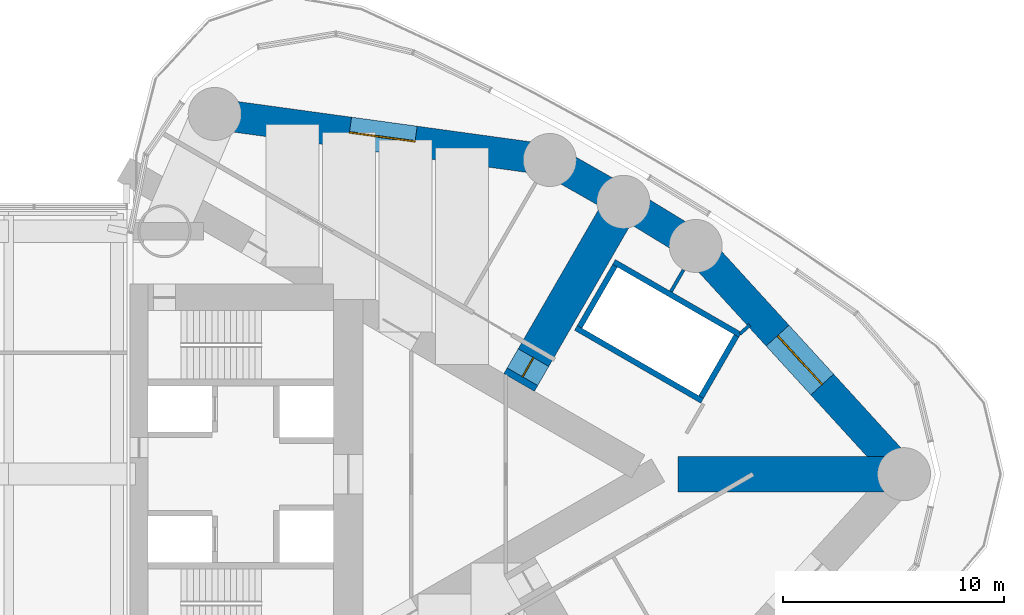
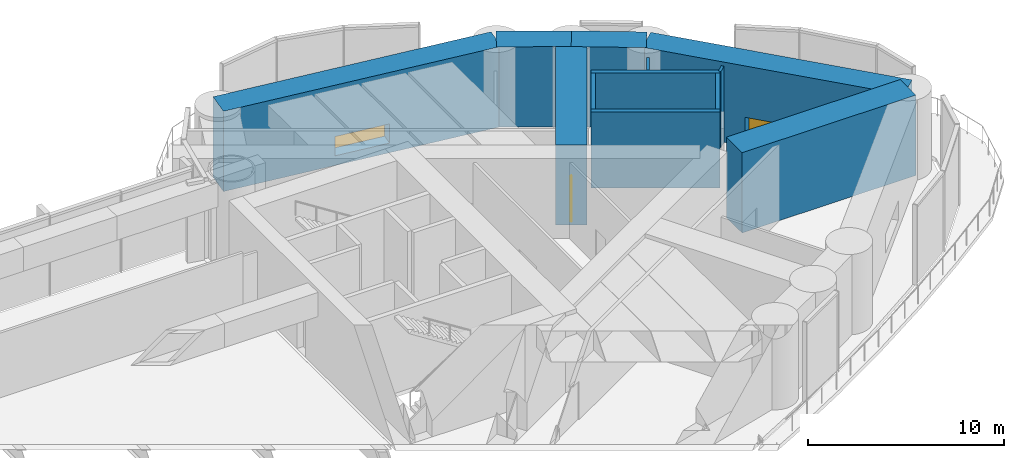
# One storey, part 19 of 22: 12 walls, 2 windows, 1 door, 3 openings.
"""IFC4 building model written with IfcOpenShell, lengths in metres."""

from ifc_helpers import new_model, si_unit, direction, frame, frame_2d, origin, place, context, subcontext, project, spatial, rectangle, extrude, material, layer, layer_set, type_object, element, fill, save


model = new_model("IFC4")

# Units and contexts
model_context = context("Model", 3, precision=1e-05, world=origin(), true_north=direction((0.0, 1.0)))
body_context = subcontext(model_context, "Body", "Model", "MODEL_VIEW")
ifc_project = project(units=[si_unit("LENGTHUNIT", "METRE"), si_unit("AREAUNIT", "SQUARE_METRE"), si_unit("VOLUMEUNIT", "CUBIC_METRE"), si_unit("PLANEANGLEUNIT", "RADIAN"), si_unit("MASSUNIT", "GRAM", prefix="KILO")], contexts=[model_context])

# Site, building, storey
site_placement = place(None, origin())
site = spatial("IfcSite", under=ifc_project, at=site_placement, CompositionType="ELEMENT")
building_placement = place(site_placement, origin())
building = spatial("IfcBuilding", under=site, at=building_placement, Name="Lancet Gate Hotel", CompositionType="ELEMENT")
storey_placement = place(building_placement, frame((0.0, 0.0, 210.300048828125)))
storey = spatial("IfcBuildingStorey", under=building, at=storey_placement, Name="L56", CompositionType="ELEMENT", Elevation=210.300048828125)

# Wall, opening, window
ifc_material_1 = material(Name="Concrete C80/95", Category="concrete")
ifc_layer_1 = layer(ifc_material_1, 1.39990234375)
ifc_layer_set_1 = layer_set([ifc_layer_1], Name="Belt wall 1400")
wall_type_1 = type_object("IfcWallType", Name="Belt wall 1400", PredefinedType="SHEAR", material=ifc_layer_set_1)
wall_1_placement = place(storey_placement, frame((62.54150390625, 0.0, 0.0), z_axis=(0.0, 0.0, 1.0), x_axis=(-0.674209372947, 0.738540263919, 0.0)))
wall_1 = element("IfcWall", 1, at=wall_1_placement, inside=storey, type_object=wall_type_1, Name="T2 belt wall CA-ON1 L56", PredefinedType="SHEAR", context=body_context, shape_type="SweptSolid", body=[
    extrude(rectangle(XDim=13.992431640625, YDim=1.39990234375, at=frame_2d((6.99609375, 0.0))), origin(), (0.0, 0.0, 1.0), 5.0),
])
opening_1_placement = place(wall_1_placement, frame((5.496337890625, 0.0, 0.60009765625)))
opening_1 = element("IfcOpeningElement", 2, at=opening_1_placement, cuts=wall_1, Name="Opening LV1", PredefinedType="OPENING", context=body_context, shape_type="SweptSolid", body=[
    extrude(rectangle(XDim=3.0, YDim=1.199951171875, at=frame_2d((1.5, 0.60009765625))), frame((0.0, 0.7099609375, 0.0), z_axis=(0.0, -1.0, 0.0), x_axis=(1.0, 0.0, 0.0)), (0.0, 0.0, 1.0), 1.419921875),
])
ifc_material_2 = material(Name="Aluminium weather louvre", Category="aluminium")
window_type = type_object("IfcWindowType", Name="Refuge louvre 3000x1200", PartitioningType="SINGLE_PANEL", PredefinedType="WINDOW", material=ifc_material_2)
window_1_placement = place(opening_1_placement, origin())
window_1 = element("IfcWindow", 3, at=window_1_placement, inside=storey, type_object=window_type, Name="T2 belt louvre CA-ON1 L56", OverallHeight=1.199951171875, OverallWidth=3.0, PartitioningType="SINGLE_PANEL", PredefinedType="WINDOW", context=body_context, shape_type="SweptSolid", body=[
    extrude(rectangle(XDim=3.0, YDim=1.199951171875, at=frame_2d((1.5, 0.60009765625))), frame((0.0, 0.030029296875, 0.0), z_axis=(0.0, -1.0, 0.0), x_axis=(1.0, 0.0, 0.0)), (0.0, 0.0, 1.0), 0.06005859375),
])
fill(opening_1, window_1)

# Walls
wall_2_placement = place(storey_placement, frame((53.107666015625, 10.333984375, 0.0), z_axis=(0.0, 0.0, 1.0), x_axis=(-0.853604257265, 0.520922040212, 0.0)))
element("IfcWall", 4, at=wall_2_placement, inside=storey, type_object=wall_type_1, Name="T2 belt wall ON1-ON2 L56", PredefinedType="SHEAR", context=body_context, shape_type="SweptSolid", body=[
    extrude(rectangle(XDim=3.835205078125, YDim=1.39990234375, at=frame_2d((1.91748046875, 0.0))), origin(), (0.0, 0.0, 1.0), 5.0),
])
wall_3_placement = place(storey_placement, frame((49.833984375, 12.331787109375, 0.0), z_axis=(0.0, 0.0, 1.0), x_axis=(-0.869560321562, 0.493826738001, 0.0)))
element("IfcWall", 5, at=wall_3_placement, inside=storey, type_object=wall_type_1, Name="T2 belt wall ON2-ON3 L56", PredefinedType="SHEAR", context=body_context, shape_type="SweptSolid", body=[
    extrude(rectangle(XDim=3.8349609375, YDim=1.39990234375, at=frame_2d((1.91748046875, 0.0))), origin(), (0.0, 0.0, 1.0), 5.0),
])

# Wall, opening, window
wall_4_placement = place(storey_placement, frame((46.499267578125, 14.2255859375, 0.0), z_axis=(0.0, 0.0, 1.0), x_axis=(-0.990685830783, 0.13616748762, 0.0)))
wall_4 = element("IfcWall", 6, at=wall_4_placement, inside=storey, type_object=wall_type_1, Name="T2 belt wall ON3-CN L56", PredefinedType="SHEAR", context=body_context, shape_type="SweptSolid", body=[
    extrude(rectangle(XDim=15.3134765625, YDim=1.39990234375, at=frame_2d((7.65673828125, 0.0))), origin(), (0.0, 0.0, 1.0), 5.0),
])
opening_2_placement = place(wall_4_placement, frame((6.15673828125, 0.0, 0.60009765625)))
opening_2 = element("IfcOpeningElement", 7, at=opening_2_placement, cuts=wall_4, Name="Opening LV1", PredefinedType="OPENING", context=body_context, shape_type="SweptSolid", body=[
    extrude(rectangle(XDim=3.0, YDim=1.199951171875, at=frame_2d((1.5, 0.60009765625))), frame((0.0, 0.7099609375, 0.0), z_axis=(0.0, -1.0, 0.0), x_axis=(1.0, 0.0, 0.0)), (0.0, 0.0, 1.0), 1.419921875),
])
window_2_placement = place(opening_2_placement, origin())
window_2 = element("IfcWindow", 8, at=window_2_placement, inside=storey, type_object=window_type, Name="T2 belt louvre ON3-CN L56", OverallHeight=1.199951171875, OverallWidth=3.0, PartitioningType="SINGLE_PANEL", PredefinedType="WINDOW", context=body_context, shape_type="SweptSolid", body=[
    extrude(rectangle(XDim=3.0, YDim=1.199951171875, at=frame_2d((1.5, 0.60009765625))), frame((0.0, 0.030029296875, 0.0), z_axis=(0.0, -1.0, 0.0), x_axis=(1.0, 0.0, 0.0)), (0.0, 0.0, 1.0), 0.06005859375),
])
fill(opening_2, window_2)

# Walls
ifc_material_3 = material(Name="Gypsum board partition")
ifc_layer_2 = layer(ifc_material_3, 0.25)
ifc_layer_set_2 = layer_set([ifc_layer_2], Name="Lift shaft partition 250")
wall_type_2 = type_object("IfcWallType", Name="Lift shaft partition 250", PredefinedType="PARTITIONING", material=ifc_layer_set_2)
for number, where, z_axis, x_axis, name in (
    (9, (47.681396484375, 6.622314453125, 0.0), (0.0, 0.0, 1.0), (0.86603344179, -0.499986077507, 0.0), "T2 lift shaft wall HL L56"),
    (10, (49.406494140625, 9.61083984375, 0.0), (0.0, 0.0, 1.0), (0.86603344179, -0.499986077507, 0.0), "T2 lift shaft wall HL L56"),
):
    element("IfcWall", number, at=place(storey_placement, frame(where, z_axis=z_axis, x_axis=x_axis)), inside=storey, type_object=wall_type_2, Name=name, PredefinedType="PARTITIONING", context=body_context, shape_type="SweptSolid", body=[
        extrude(rectangle(XDim=6.600341796875, YDim=0.25, at=frame_2d((3.30029296875, 0.0))), origin(), (0.0, 0.0, 1.0), 4.75),
    ])
wall_5_placement = place(storey_placement, frame((47.852294921875, 6.66796875, 0.0), z_axis=(0.0, 0.0, 1.0), x_axis=(0.499929347863, 0.866066190972, 0.0)))
element("IfcWall", 11, at=wall_5_placement, inside=storey, type_object=wall_type_2, Name="T2 lift shaft wall HL L56", PredefinedType="PARTITIONING", context=body_context, shape_type="SweptSolid", body=[
    extrude(rectangle(XDim=3.20068359375, YDim=0.25, at=frame_2d((1.600341796875, 0.0))), origin(), (0.0, 0.0, 1.0), 4.75),
])
wall_6_placement = place(storey_placement, frame((53.351806640625, 3.492919921875, 0.0), z_axis=(0.0, 0.0, 1.0), x_axis=(0.499872130319, 0.866099216793, 0.0)))
element("IfcWall", 12, at=wall_6_placement, inside=storey, type_object=wall_type_2, Name="T2 lift shaft wall HL L56", PredefinedType="PARTITIONING", context=body_context, shape_type="SweptSolid", body=[
    extrude(rectangle(XDim=3.200439453125, YDim=0.25, at=frame_2d((1.60009765625, 0.0))), origin(), (0.0, 0.0, 1.0), 4.75),
])
ifc_material_4 = material(Name="Concrete C80/95", Category="concrete")
ifc_layer_3 = layer(ifc_material_4, 1.60009765625)
ifc_layer_set_3 = layer_set([ifc_layer_3], Name="Outrigger wall 1600")
wall_type_3 = type_object("IfcWallType", Name="Outrigger wall 1600", PredefinedType="SHEAR", material=ifc_layer_set_3)
wall_7_placement = place(storey_placement, frame((52.30224609375, 0.0, 0.0), z_axis=(0.0, 0.0, 1.0), x_axis=(1.0, 0.0, 0.0)))
element("IfcWall", 13, at=wall_7_placement, inside=storey, type_object=wall_type_3, Name="T2 outrigger wall CA L56", PredefinedType="SHEAR", context=body_context, shape_type="SweptSolid", body=[
    extrude(rectangle(XDim=10.2392578125, YDim=1.60009765625, at=frame_2d((5.11962890625, 0.0))), origin(), (0.0, 0.0, 1.0), 5.0),
])

# Wall, opening, door
wall_8_placement = place(storey_placement, frame((45.111328125, 4.151611328125, 0.0), z_axis=(0.0, 0.0, 1.0), x_axis=(0.499986466662, 0.86603321712, 0.0)))
wall_8 = element("IfcWall", 14, at=wall_8_placement, inside=storey, type_object=wall_type_3, Name="T2 outrigger wall ON2 L56", PredefinedType="SHEAR", context=body_context, shape_type="SweptSolid", body=[
    extrude(rectangle(XDim=9.445556640625, YDim=1.60009765625, at=frame_2d((4.72265625, 0.0))), origin(), (0.0, 0.0, 1.0), 5.0),
])
opening_3_placement = place(wall_8_placement, frame((0.300048828125, 0.0, 0.0)))
opening_3 = element("IfcOpeningElement", 15, at=opening_3_placement, cuts=wall_8, Name="Opening T2-L56-LNO", PredefinedType="OPENING", context=body_context, shape_type="SweptSolid", body=[
    extrude(rectangle(XDim=1.0, YDim=2.199951171875, at=frame_2d((0.5, 1.10009765625))), frame((0.0, 0.81005859375, 0.0), z_axis=(0.0, -1.0, 0.0), x_axis=(1.0, 0.0, 0.0)), (0.0, 0.0, 1.0), 1.6201171875),
])
ifc_material_5 = material(Name="Timber door set", Category="wood")
door_type = type_object("IfcDoorType", Name="Corridor door 1000", OperationType="SINGLE_SWING_LEFT", PredefinedType="DOOR", material=ifc_material_5)
door_placement = place(opening_3_placement, origin())
door = element("IfcDoor", 16, at=door_placement, inside=storey, type_object=door_type, Name="T2-L56-LNO", OperationType="SINGLE_SWING_LEFT", OverallHeight=2.199951171875, OverallWidth=1.0, PredefinedType="DOOR", context=body_context, shape_type="SweptSolid", body=[
    extrude(rectangle(XDim=1.0, YDim=2.199951171875, at=frame_2d((0.5, 1.10009765625))), frame((0.0, 0.02490234375, 0.0), z_axis=(0.0, -1.0, 0.0), x_axis=(1.0, 0.0, 0.0)), (0.0, 0.0, 1.0), 0.050048828125),
])
fill(opening_3, door)

# Walls
ifc_material_6 = material(Name="Gypsum board partition")
ifc_layer_4 = layer(ifc_material_6, 0.14990234375)
ifc_layer_set_4 = layer_set([ifc_layer_4], Name="Party wall 150")
wall_type_4 = type_object("IfcWallType", Name="Party wall 150", PredefinedType="PARTITIONING", material=ifc_layer_set_4)
wall_9_placement = place(storey_placement, frame((51.9853515625, 8.266357421875, 0.0), z_axis=(0.0, 0.0, 1.0), x_axis=(0.50005843372, 0.865991664432, 0.0)))
element("IfcWall", 17, at=wall_9_placement, inside=storey, type_object=wall_type_4, Name="T2 party wall 150 L56", PredefinedType="PARTITIONING", context=body_context, shape_type="SweptSolid", body=[
    extrude(rectangle(XDim=1.132080078125, YDim=0.14990234375, at=frame_2d((0.56591796875, 0.0))), origin(), (0.0, 0.0, 1.0), 4.75),
])
wall_10_placement = place(storey_placement, frame((55.111083984375, 6.3515625, 0.0), z_axis=(0.0, 0.0, 1.0), x_axis=(0.738625136196, 0.674116390677, 0.0)))
element("IfcWall", 18, at=wall_10_placement, inside=storey, type_object=wall_type_4, Name="T2 party wall 150 L56", PredefinedType="PARTITIONING", context=body_context, shape_type="SweptSolid", body=[
    extrude(rectangle(XDim=0.60546875, YDim=0.14990234375, at=frame_2d((0.302734375, 0.0))), origin(), (0.0, 0.0, 1.0), 4.75),
])

save(model, "model.ifc")
